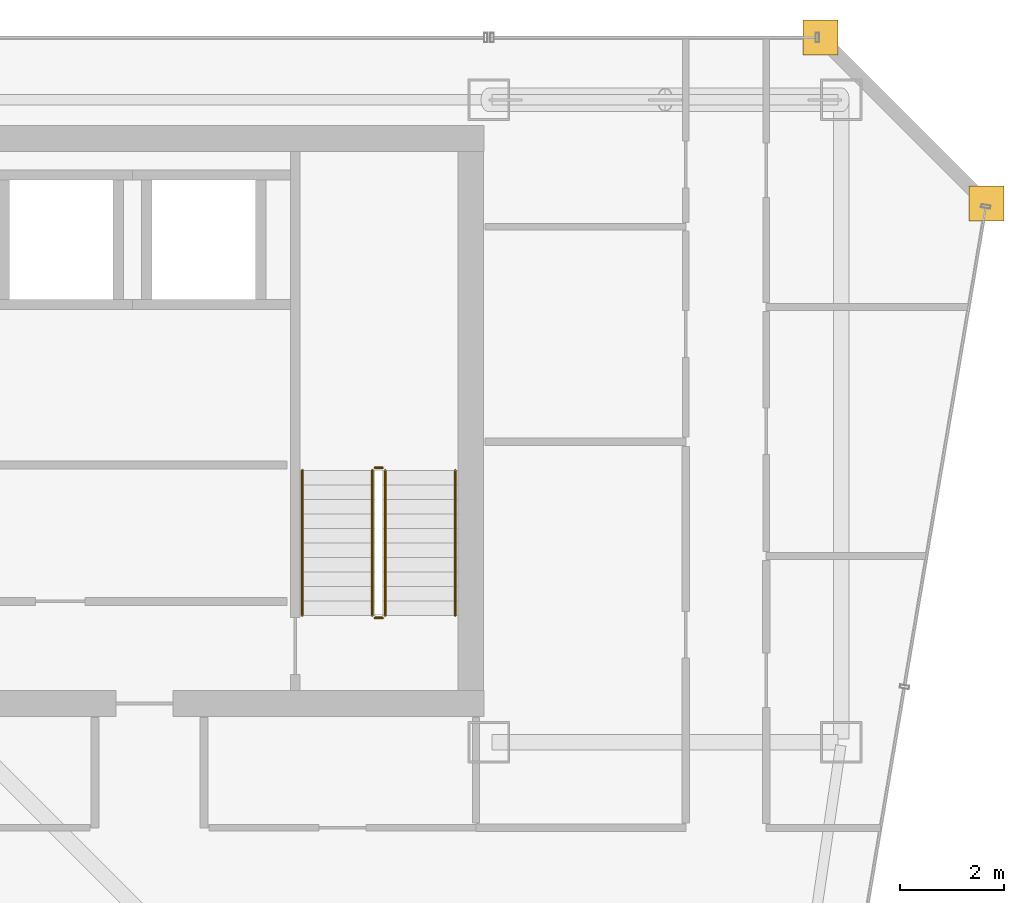
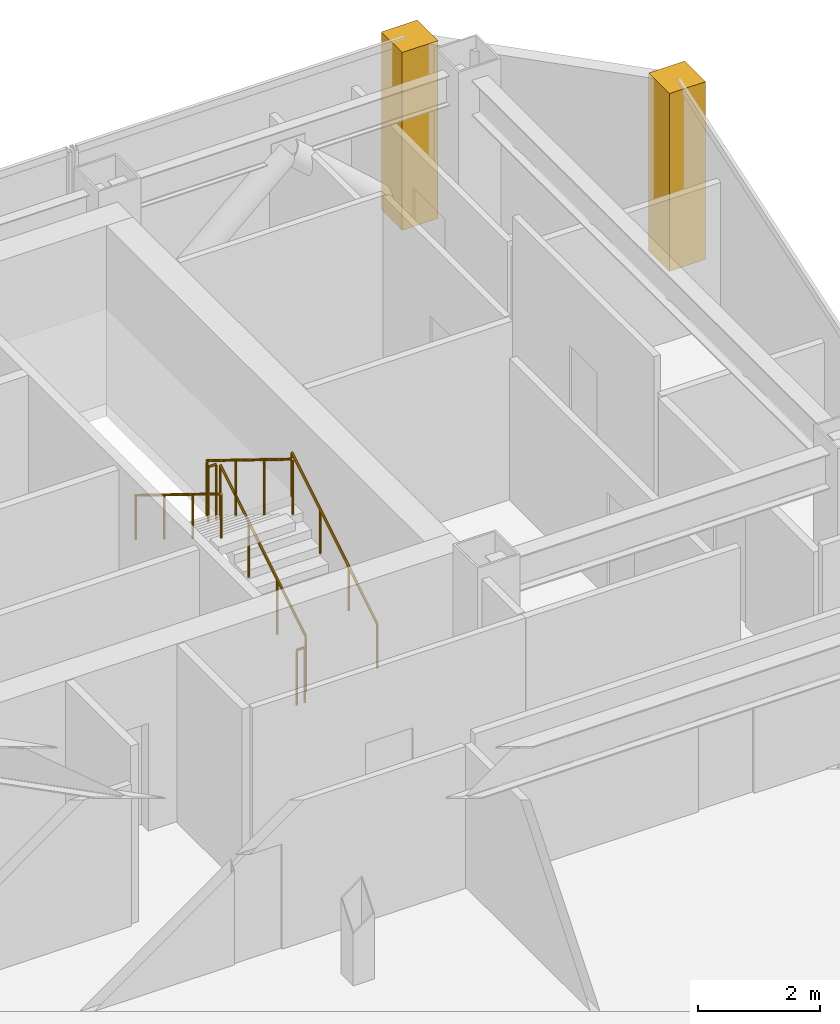
# One storey, part 35 of 35: 6 railings, 2 coverings.
"""IFC4 building model written with IfcOpenShell, lengths in metres."""

from ifc_helpers import new_model, si_unit, direction, frame, origin, origin_2d, place, context, subcontext, project, spatial, polyline, circle, outline, extrude, material, layer, layer_set, type_object, element, save


model = new_model("IFC4")

# Units and contexts
model_context = context("Model", 3, precision=1e-05, world=origin(), true_north=direction((0.0, 1.0)))
body_context = subcontext(model_context, "Body", "Model", "MODEL_VIEW")
ifc_project = project(units=[si_unit("LENGTHUNIT", "METRE"), si_unit("AREAUNIT", "SQUARE_METRE"), si_unit("VOLUMEUNIT", "CUBIC_METRE"), si_unit("PLANEANGLEUNIT", "RADIAN"), si_unit("MASSUNIT", "GRAM", prefix="KILO")], contexts=[model_context])

# Site, building, storey
site_placement = place(None, origin())
site = spatial("IfcSite", under=ifc_project, at=site_placement, CompositionType="ELEMENT")
building_placement = place(site_placement, origin())
building = spatial("IfcBuilding", under=site, at=building_placement, Name="Saevonmaru Cultural Tower", CompositionType="ELEMENT")
storey_placement = place(building_placement, frame((0.0, 0.0, 213.199951171875)))
storey = spatial("IfcBuildingStorey", under=building, at=storey_placement, Name="L49", CompositionType="ELEMENT", Elevation=213.199951171875)

# Coverings
ifc_material_1 = material(Name="Satin Bronze Anodised Aluminium", Category="aluminium")
ifc_layer = layer(ifc_material_1, 0.679931640625, Name="Satin Bronze Anodised Aluminium")
ifc_layer_set = layer_set([ifc_layer], Name="Satin Bronze Anodised Aluminium")
covering_type = type_object("IfcCoveringType", Name="CV-CORNER-CLAD", PredefinedType="CLADDING", material=ifc_layer_set)
covering_1_placement = place(storey_placement, origin())
element("IfcCovering", 1, at=covering_1_placement, inside=storey, type_object=covering_type, Name="L49 Tower Bronze Corner Cladding Pier 9", PredefinedType="CLADDING", context=body_context, shape_type="SweptSolid", body=[
    extrude(outline(polyline([(55.659912109375, 52.4599609375), (56.340087890625, 52.4599609375), (56.340087890625, 53.139892578125), (55.659912109375, 53.139892578125), (55.659912109375, 52.4599609375)])), origin(), (0.0, 0.0, 1.0), 3.550048828125),
])
covering_2_placement = place(storey_placement, origin())
element("IfcCovering", 2, at=covering_2_placement, inside=storey, type_object=covering_type, Name="L49 Tower Bronze Corner Cladding Pier 10", PredefinedType="CLADDING", context=body_context, shape_type="SweptSolid", body=[
    extrude(outline(polyline([(52.4599609375, 55.659912109375), (53.139892578125, 55.659912109375), (53.139892578125, 56.340087890625), (52.4599609375, 56.340087890625), (52.4599609375, 55.659912109375)])), origin(), (0.0, 0.0, 1.0), 3.550048828125),
])

# Railings
ifc_material_2 = material(Name="Architectural Painted Steel", Category="steel")
railing_type_1 = type_object("IfcRailingType", Name="RL-STAIR-GUARD", PredefinedType="GUARDRAIL", material=ifc_material_2)
railing_1_placement = place(storey_placement, frame((44.39990234375, 44.85009765625, 0.1728515625)))
element("IfcRailing", 3, at=railing_1_placement, inside=storey, type_object=railing_type_1, Name="L49 ST-2 stair guard 1", PredefinedType="GUARDRAIL", context=body_context, shape_type="SweptSolid", body=[
    extrude(circle(Radius=0.02392578125, at=origin_2d()), frame((0.0, 0.0, 1.09619140625), z_axis=(0.0, 0.851069175582, 0.525053576669), x_axis=(-1.0, 0.0, 0.0)), (0.0, 0.0, 1.0), 3.289794921875),
    extrude(circle(Radius=0.02099609375, at=origin_2d()), origin(), (0.0, 0.0, 1.0), 1.072021484375),
    extrude(circle(Radius=0.02099609375, at=origin_2d()), frame((0.0, 0.933349609375, 0.57568359375)), (0.0, 0.0, 1.0), 1.072021484375),
    extrude(circle(Radius=0.02099609375, at=origin_2d()), frame((0.0, 1.866455078125, 1.151611328125)), (0.0, 0.0, 1.0), 1.072021484375),
    extrude(circle(Radius=0.02099609375, at=origin_2d()), frame((0.0, 2.7998046875, 1.727294921875)), (0.0, 0.0, 1.0), 1.072021484375),
])
railing_2_placement = place(storey_placement, frame((44.35009765625, 47.699951171875, 1.900146484375)))
element("IfcRailing", 4, at=railing_2_placement, inside=storey, type_object=railing_type_1, Name="L49 ST-2 stair guard 2", PredefinedType="GUARDRAIL", context=body_context, shape_type="SweptSolid", body=[
    extrude(circle(Radius=0.02392578125, at=origin_2d()), frame((0.0, 0.0, 1.09619140625), z_axis=(-1.0, 0.0, 0.0), x_axis=(0.0, -1.0, 0.0)), (0.0, 0.0, 1.0), 0.150146484375),
    extrude(circle(Radius=0.02099609375, at=origin_2d()), origin(), (0.0, 0.0, 1.0), 1.072021484375),
    extrude(circle(Radius=0.02099609375, at=origin_2d()), frame((-0.150146484375, 0.0, 0.0)), (0.0, 0.0, 1.0), 1.072021484375),
])
railing_3_placement = place(storey_placement, frame((44.14990234375, 47.64990234375, 2.07275390625)))
element("IfcRailing", 5, at=railing_3_placement, inside=storey, type_object=railing_type_1, Name="L49 ST-2 stair guard 3", PredefinedType="GUARDRAIL", context=body_context, shape_type="SweptSolid", body=[
    extrude(circle(Radius=0.02392578125, at=origin_2d()), frame((0.0, 0.0, 1.09619140625), z_axis=(0.0, -0.851069175582, 0.525053576669), x_axis=(1.0, 0.0, 0.0)), (0.0, 0.0, 1.0), 3.289794921875),
    extrude(circle(Radius=0.02099609375, at=origin_2d()), origin(), (0.0, 0.0, 1.0), 1.072021484375),
    extrude(circle(Radius=0.02099609375, at=origin_2d()), frame((0.0, -0.933349609375, 0.57568359375)), (0.0, 0.0, 1.0), 1.072021484375),
    extrude(circle(Radius=0.02099609375, at=origin_2d()), frame((0.0, -1.866455078125, 1.151611328125)), (0.0, 0.0, 1.0), 1.072021484375),
    extrude(circle(Radius=0.02099609375, at=origin_2d()), frame((0.0, -2.7998046875, 1.727294921875)), (0.0, 0.0, 1.0), 1.072021484375),
])
railing_4_placement = place(storey_placement, frame((44.35009765625, 44.800048828125, 0.0)))
element("IfcRailing", 6, at=railing_4_placement, inside=storey, type_object=railing_type_1, Name="L49 ST-2 stair guard 4", PredefinedType="GUARDRAIL", context=body_context, shape_type="SweptSolid", body=[
    extrude(circle(Radius=0.02392578125, at=origin_2d()), frame((0.0, 0.0, 1.09619140625), z_axis=(-1.0, 0.0, 0.0), x_axis=(0.0, -1.0, 0.0)), (0.0, 0.0, 1.0), 0.150146484375),
    extrude(circle(Radius=0.02099609375, at=origin_2d()), origin(), (0.0, 0.0, 1.0), 1.072021484375),
    extrude(circle(Radius=0.02099609375, at=origin_2d()), frame((-0.150146484375, 0.0, 0.0)), (0.0, 0.0, 1.0), 1.072021484375),
])
railing_type_2 = type_object("IfcRailingType", Name="RL-STAIR-HANDRAIL", PredefinedType="HANDRAIL", material=ifc_material_1)
railing_5_placement = place(storey_placement, frame((45.75, 44.85009765625, 0.1728515625)))
element("IfcRailing", 7, at=railing_5_placement, inside=storey, type_object=railing_type_2, Name="L49 ST-2 stair handrail 1", PredefinedType="HANDRAIL", context=body_context, shape_type="SweptSolid", body=[
    extrude(circle(Radius=0.02392578125, at=origin_2d()), frame((0.0, 0.0, 0.8759765625), z_axis=(0.0, 0.851069175582, 0.525053576669), x_axis=(-1.0, 0.0, 0.0)), (0.0, 0.0, 1.0), 3.289794921875),
    extrude(circle(Radius=0.02099609375, at=origin_2d()), origin(), (0.0, 0.0, 1.0), 0.851806640625),
    extrude(circle(Radius=0.02099609375, at=origin_2d()), frame((0.0, 0.933349609375, 0.57568359375)), (0.0, 0.0, 1.0), 0.851806640625),
    extrude(circle(Radius=0.02099609375, at=origin_2d()), frame((0.0, 1.866455078125, 1.151611328125)), (0.0, 0.0, 1.0), 0.851806640625),
    extrude(circle(Radius=0.02099609375, at=origin_2d()), frame((0.0, 2.7998046875, 1.727294921875)), (0.0, 0.0, 1.0), 0.851806640625),
])
railing_6_placement = place(storey_placement, frame((42.800048828125, 47.64990234375, 2.07275390625)))
element("IfcRailing", 8, at=railing_6_placement, inside=storey, type_object=railing_type_2, Name="L49 ST-2 stair handrail 2", PredefinedType="HANDRAIL", context=body_context, shape_type="SweptSolid", body=[
    extrude(circle(Radius=0.02392578125, at=origin_2d()), frame((0.0, 0.0, 0.8759765625), z_axis=(0.0, -0.851069175582, 0.525053576669), x_axis=(1.0, 0.0, 0.0)), (0.0, 0.0, 1.0), 3.289794921875),
    extrude(circle(Radius=0.02099609375, at=origin_2d()), origin(), (0.0, 0.0, 1.0), 0.851806640625),
    extrude(circle(Radius=0.02099609375, at=origin_2d()), frame((0.0, -0.933349609375, 0.57568359375)), (0.0, 0.0, 1.0), 0.851806640625),
    extrude(circle(Radius=0.02099609375, at=origin_2d()), frame((0.0, -1.866455078125, 1.151611328125)), (0.0, 0.0, 1.0), 0.851806640625),
    extrude(circle(Radius=0.02099609375, at=origin_2d()), frame((0.0, -2.7998046875, 1.727294921875)), (0.0, 0.0, 1.0), 0.851806640625),
])

save(model, "model.ifc")
